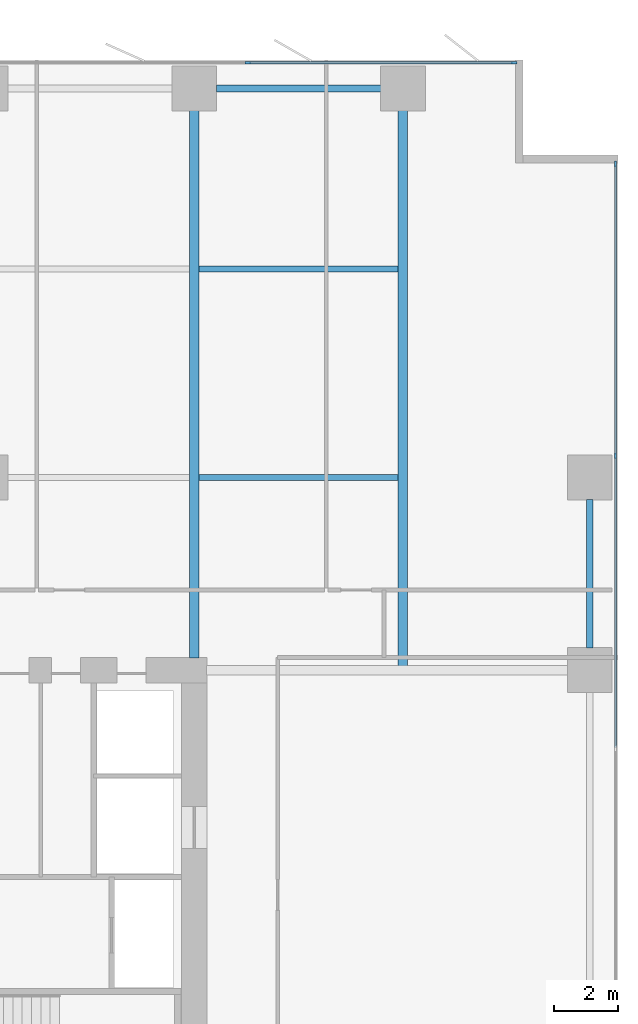
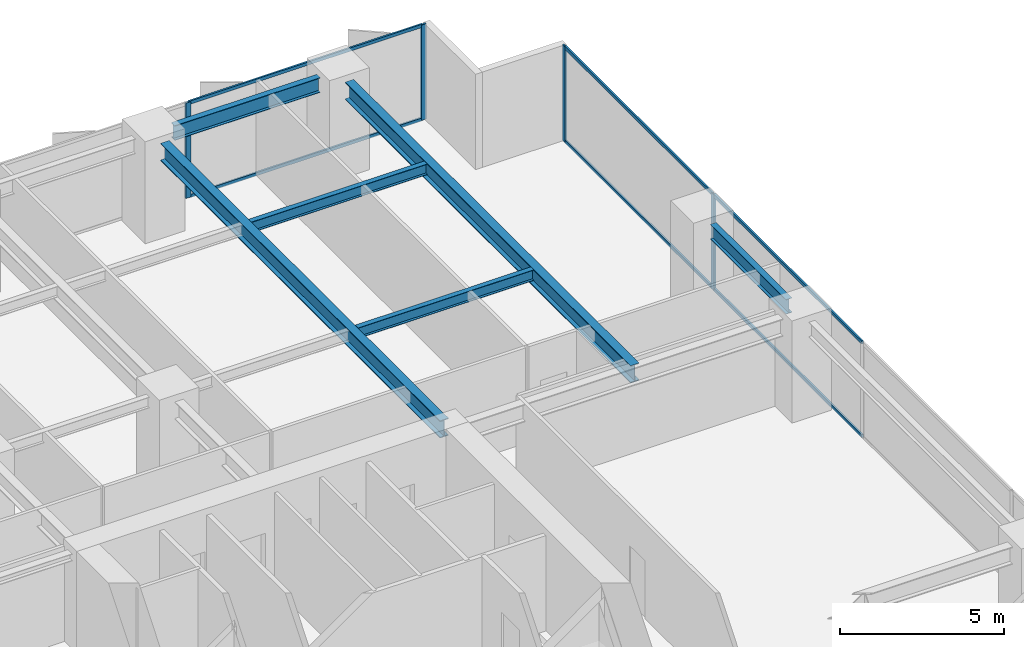
# One storey, part 11 of 20: 10 members, 6 beams, 2 elements without a shape of their own.
"""IFC4 building model written with IfcOpenShell, lengths in metres."""

from ifc_helpers import new_model, si_unit, direction, frame, origin, origin_2d, place, context, subcontext, project, spatial, rectangle, i_section, extrude, material, layer, layer_set, material_profile, profile_set, type_object, element, aggregate, save


model = new_model("IFC4")

# Units and contexts
model_context = context("Model", 3, precision=1e-05, world=origin(), true_north=direction((0.0, 1.0)))
body_context = subcontext(model_context, "Body", "Model", "MODEL_VIEW")
ifc_project = project(units=[si_unit("LENGTHUNIT", "METRE"), si_unit("AREAUNIT", "SQUARE_METRE"), si_unit("VOLUMEUNIT", "CUBIC_METRE"), si_unit("PLANEANGLEUNIT", "RADIAN"), si_unit("MASSUNIT", "GRAM", prefix="KILO")], contexts=[model_context])

# Site, building, storey
site_placement = place(None, origin())
site = spatial("IfcSite", under=ifc_project, at=site_placement, CompositionType="ELEMENT")
building_placement = place(site_placement, origin())
building = spatial("IfcBuilding", under=site, at=building_placement, Name="Putna Gate Headquarters", CompositionType="ELEMENT")
storey_placement = place(building_placement, frame((0.0, 0.0, 73.39990234375)))
storey = spatial("IfcBuildingStorey", under=building, at=storey_placement, Name="L17", CompositionType="ELEMENT", Elevation=73.39990234375)

# Beams
ifc_material_1 = material(Name="Steel S355J2", Category="steel")
ifc_material_profile_1 = material_profile(ifc_material_1, i_section(OverallWidth=0.300048828125, OverallDepth=0.64990234375, WebThickness=0.01611328125, FlangeThickness=0.031005859375, at=origin_2d()), Name="Steel S355J2")
ifc_profile_set_1 = profile_set([ifc_material_profile_1], Name="Steel S355J2")
beam_type_1 = type_object("IfcBeamType", Name="BM-GIRD-Z1-HEB650", PredefinedType="USERDEFINED", material=ifc_profile_set_1)
beam_1_placement = place(storey_placement, frame((65.0, 33.385009765625, 3.22509765625), z_axis=(0.0, 1.0, 0.0), x_axis=(-1.0, 0.0, 0.0)))
element("IfcBeam", 1, at=beam_1_placement, inside=storey, type_object=beam_type_1, Name="L17 North Primary Girder X65", ObjectType="GIRDER", PredefinedType="USERDEFINED", context=body_context, shape_type="SweptSolid", body=[
    extrude(i_section(OverallWidth=0.300048828125, OverallDepth=0.64990234375, WebThickness=0.01611328125, FlangeThickness=0.031005859375, at=origin_2d()), origin(), (0.0, 0.0, 1.0), 17.046875),
])
beam_2_placement = place(storey_placement, frame((71.5, 33.011962890625, 3.22509765625), z_axis=(0.0, 1.0, 0.0), x_axis=(-1.0, 0.0, 0.0)))
element("IfcBeam", 2, at=beam_2_placement, inside=storey, type_object=beam_type_1, Name="L17 North Primary Girder X71", ObjectType="GIRDER", PredefinedType="USERDEFINED", context=body_context, shape_type="SweptSolid", body=[
    extrude(i_section(OverallWidth=0.300048828125, OverallDepth=0.64990234375, WebThickness=0.01611328125, FlangeThickness=0.031005859375, at=origin_2d()), origin(), (0.0, 0.0, 1.0), 17.419921875),
])
ifc_material_profile_2 = material_profile(ifc_material_1, i_section(OverallWidth=0.179931640625, OverallDepth=0.39990234375, WebThickness=0.008544921875, FlangeThickness=0.013427734375, at=origin_2d()), Name="Steel S355J2")
ifc_profile_set_2 = profile_set([ifc_material_profile_2], Name="Steel S355J2")
beam_type_2 = type_object("IfcBeamType", Name="BM-SEC-Z1-IPE400", PredefinedType="BEAM", material=ifc_profile_set_2)
for number, where, z_axis, x_axis, name in (
    (3, (65.154052734375, 39.0, 3.35009765625), (1.0, 0.0, 0.0), (0.0, 1.0, 0.0), "L17 North Secondary Beam 10"),
    (4, (65.154052734375, 45.5, 3.35009765625), (1.0, 0.0, 0.0), (0.0, 1.0, 0.0), "L17 North Secondary Beam 10"),
):
    element("IfcBeam", number, at=place(storey_placement, frame(where, z_axis=z_axis, x_axis=x_axis)), inside=storey, type_object=beam_type_2, Name=name, PredefinedType="BEAM", context=body_context, shape_type="SweptSolid", body=[
        extrude(i_section(OverallWidth=0.179931640625, OverallDepth=0.39990234375, WebThickness=0.008544921875, FlangeThickness=0.013427734375, at=origin_2d()), origin(), (0.0, 0.0, 1.0), 6.19189453125),
    ])
ifc_material_profile_3 = material_profile(ifc_material_1, i_section(OverallWidth=0.2099609375, OverallDepth=0.550048828125, WebThickness=0.010986328125, FlangeThickness=0.01708984375, at=origin_2d()), Name="Steel S355J2")
ifc_profile_set_3 = profile_set([ifc_material_profile_3], Name="Steel S355J2")
beam_type_3 = type_object("IfcBeamType", Name="BM-SPAN-Z1-IPE550", PredefinedType="SPANDREL", material=ifc_profile_set_3)
beam_3_placement = place(storey_placement, frame((65.68798828125, 51.1201171875, 3.275146484375), z_axis=(1.0, 0.0, 0.0), x_axis=(0.0, 1.0, 0.0)))
element("IfcBeam", 5, at=beam_3_placement, inside=storey, type_object=beam_type_3, Name="L17 N Perimeter Spandrel 10", PredefinedType="SPANDREL", context=body_context, shape_type="SweptSolid", body=[
    extrude(i_section(OverallWidth=0.2099609375, OverallDepth=0.550048828125, WebThickness=0.010986328125, FlangeThickness=0.01708984375, at=origin_2d()), origin(), (0.0, 0.0, 1.0), 5.1240234375),
])
beam_4_placement = place(storey_placement, frame((77.320068359375, 33.68798828125, 3.275146484375), z_axis=(0.0, 1.0, 0.0), x_axis=(-1.0, 0.0, 0.0)))
element("IfcBeam", 6, at=beam_4_placement, inside=storey, type_object=beam_type_3, Name="L17 E End Spandrel 3", PredefinedType="SPANDREL", context=body_context, shape_type="SweptSolid", body=[
    extrude(i_section(OverallWidth=0.2099609375, OverallDepth=0.550048828125, WebThickness=0.010986328125, FlangeThickness=0.01708984375, at=origin_2d()), origin(), (0.0, 0.0, 1.0), 4.6240234375),
])

# Curtain wall, members
ifc_material_2 = material(Name="Anodised bronze aluminium curtain wall", Category="aluminium")
ifc_layer = layer(ifc_material_2, 0.179931640625)
ifc_layer_set = layer_set([ifc_layer], Name="Anodised bronze aluminium curtain wall")
curtain_wall_type = type_object("IfcCurtainWallType", Name="CW-SYS-Z1", PredefinedType="USERDEFINED", material=ifc_layer_set)
curtain_wall_1_placement = place(storey_placement, origin())
curtain_wall_1 = element("IfcCurtainWall", 7, at=curtain_wall_1_placement, inside=storey, type_object=curtain_wall_type, Name="L17 North East Curtain Wall", ObjectType="STICK CURTAIN WALL", PredefinedType="USERDEFINED")
ifc_material_3 = material(Name="Anodised bronze aluminium EN AW-6060", Category="aluminium")
ifc_material_profile_4 = material_profile(ifc_material_3, rectangle(XDim=0.070068359375, YDim=0.179931640625, at=origin_2d()), Name="Anodised bronze aluminium EN AW-6060")
ifc_profile_set_4 = profile_set([ifc_material_profile_4], Name="Anodised bronze aluminium EN AW-6060")
member_type_1 = type_object("IfcMemberType", Name="MULL-CWM-1", PredefinedType="MULLION", material=ifc_profile_set_4)
member_1_placement = place(storey_placement, frame((66.666748046875, 51.919921875, 0.0), z_axis=(0.0, 0.0, 1.0), x_axis=(0.0, 1.0, 0.0)))
member_1 = element("IfcMember", 8, at=member_1_placement, type_object=member_type_1, Name="CWS-1 mullion 3", PredefinedType="MULLION", context=body_context, shape_type="SweptSolid", body=[
    extrude(rectangle(XDim=0.070068359375, YDim=0.179931640625, at=origin_2d()), origin(), (0.0, 0.0, 1.0), 3.550048828125),
])
member_2_placement = place(storey_placement, frame((74.965087890625, 51.919921875, 0.0), z_axis=(0.0, 0.0, 1.0), x_axis=(0.0, 1.0, 0.0)))
member_2 = element("IfcMember", 9, at=member_2_placement, type_object=member_type_1, Name="CWS-1 mullion 4", PredefinedType="MULLION", context=body_context, shape_type="SweptSolid", body=[
    extrude(rectangle(XDim=0.070068359375, YDim=0.179931640625, at=origin_2d()), origin(), (0.0, 0.0, 1.0), 3.550048828125),
])

curtain_wall_2_placement = place(storey_placement, origin())
curtain_wall_2 = element("IfcCurtainWall", 10, at=curtain_wall_2_placement, inside=storey, type_object=curtain_wall_type, Name="L17 East Curtain Wall", ObjectType="STICK CURTAIN WALL", PredefinedType="USERDEFINED")
member_3_placement = place(storey_placement, frame((78.1201171875, 39.679931640625, 0.0), z_axis=(0.0, 0.0, 1.0), x_axis=(-1.0, 0.0, 0.0)))
member_3 = element("IfcMember", 11, at=member_3_placement, type_object=member_type_1, Name="CWS-1 mullion 5", PredefinedType="MULLION", context=body_context, shape_type="SweptSolid", body=[
    extrude(rectangle(XDim=0.070068359375, YDim=0.179931640625, at=origin_2d()), origin(), (0.0, 0.0, 1.0), 3.550048828125),
])
member_4_placement = place(storey_placement, frame((78.1201171875, 48.764892578125, 0.0), z_axis=(0.0, 0.0, 1.0), x_axis=(-1.0, 0.0, 0.0)))
member_4 = element("IfcMember", 12, at=member_4_placement, type_object=member_type_1, Name="CWS-1 mullion 6", PredefinedType="MULLION", context=body_context, shape_type="SweptSolid", body=[
    extrude(rectangle(XDim=0.070068359375, YDim=0.179931640625, at=origin_2d()), origin(), (0.0, 0.0, 1.0), 3.550048828125),
])

# Member
ifc_material_profile_5 = material_profile(ifc_material_3, rectangle(XDim=0.06494140625, YDim=0.1201171875, at=origin_2d()), Name="Anodised bronze aluminium EN AW-6060")
ifc_profile_set_5 = profile_set([ifc_material_profile_5], Name="Anodised bronze aluminium EN AW-6060")
member_type_2 = type_object("IfcMemberType", Name="TRAN-CWT-1", PredefinedType="USERDEFINED", material=ifc_profile_set_5)
member_5_placement = place(storey_placement, frame((66.70166015625, 51.919921875, 0.03271484375), z_axis=(1.0, 0.0, 0.0), x_axis=(0.0, 1.0, 0.0)))
member_5 = element("IfcMember", 13, at=member_5_placement, type_object=member_type_2, Name="CWS-1 transom 3.1", ObjectType="TRANSOM", PredefinedType="USERDEFINED", context=body_context, shape_type="SweptSolid", body=[
    extrude(rectangle(XDim=0.06494140625, YDim=0.1201171875, at=origin_2d()), origin(), (0.0, 0.0, 1.0), 8.228271484375),
])

member_6_placement = place(storey_placement, frame((66.70166015625, 51.919921875, 3.517578125), z_axis=(1.0, 0.0, 0.0), x_axis=(0.0, 1.0, 0.0)))
member_6 = element("IfcMember", 14, at=member_6_placement, type_object=member_type_2, Name="CWS-1 transom 3.2", ObjectType="TRANSOM", PredefinedType="USERDEFINED", context=body_context, shape_type="SweptSolid", body=[
    extrude(rectangle(XDim=0.06494140625, YDim=0.1201171875, at=origin_2d()), origin(), (0.0, 0.0, 1.0), 8.228271484375),
])

aggregate(curtain_wall_1, [member_1, member_2, member_5, member_6])

member_7_placement = place(storey_placement, frame((78.1201171875, 30.594970703125, 0.03271484375), z_axis=(0.0, 1.0, 0.0), x_axis=(-1.0, 0.0, 0.0)))
member_7 = element("IfcMember", 15, at=member_7_placement, type_object=member_type_2, Name="CWS-1 transom 4.1", ObjectType="TRANSOM", PredefinedType="USERDEFINED", context=body_context, shape_type="SweptSolid", body=[
    extrude(rectangle(XDim=0.06494140625, YDim=0.1201171875, at=origin_2d()), origin(), (0.0, 0.0, 1.0), 9.050048828125),
])

member_8_placement = place(storey_placement, frame((78.1201171875, 30.594970703125, 3.517578125), z_axis=(0.0, 1.0, 0.0), x_axis=(-1.0, 0.0, 0.0)))
member_8 = element("IfcMember", 16, at=member_8_placement, type_object=member_type_2, Name="CWS-1 transom 4.2", ObjectType="TRANSOM", PredefinedType="USERDEFINED", context=body_context, shape_type="SweptSolid", body=[
    extrude(rectangle(XDim=0.06494140625, YDim=0.1201171875, at=origin_2d()), origin(), (0.0, 0.0, 1.0), 9.050048828125),
])

member_9_placement = place(storey_placement, frame((78.1201171875, 39.715087890625, 0.03271484375), z_axis=(0.0, 1.0, 0.0), x_axis=(-1.0, 0.0, 0.0)))
member_9 = element("IfcMember", 17, at=member_9_placement, type_object=member_type_2, Name="CWS-1 transom 5.1", ObjectType="TRANSOM", PredefinedType="USERDEFINED", context=body_context, shape_type="SweptSolid", body=[
    extrude(rectangle(XDim=0.06494140625, YDim=0.1201171875, at=origin_2d()), origin(), (0.0, 0.0, 1.0), 9.014892578125),
])

member_10_placement = place(storey_placement, frame((78.1201171875, 39.715087890625, 3.517578125), z_axis=(0.0, 1.0, 0.0), x_axis=(-1.0, 0.0, 0.0)))
member_10 = element("IfcMember", 18, at=member_10_placement, type_object=member_type_2, Name="CWS-1 transom 5.2", ObjectType="TRANSOM", PredefinedType="USERDEFINED", context=body_context, shape_type="SweptSolid", body=[
    extrude(rectangle(XDim=0.06494140625, YDim=0.1201171875, at=origin_2d()), origin(), (0.0, 0.0, 1.0), 9.014892578125),
])

aggregate(curtain_wall_2, [member_3, member_4, member_7, member_8, member_9, member_10])

save(model, "model.ifc")
